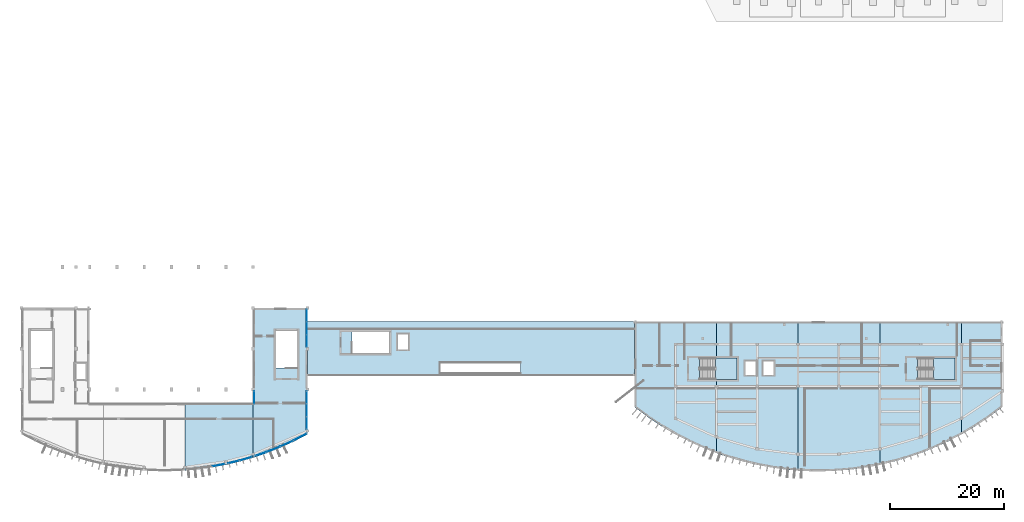
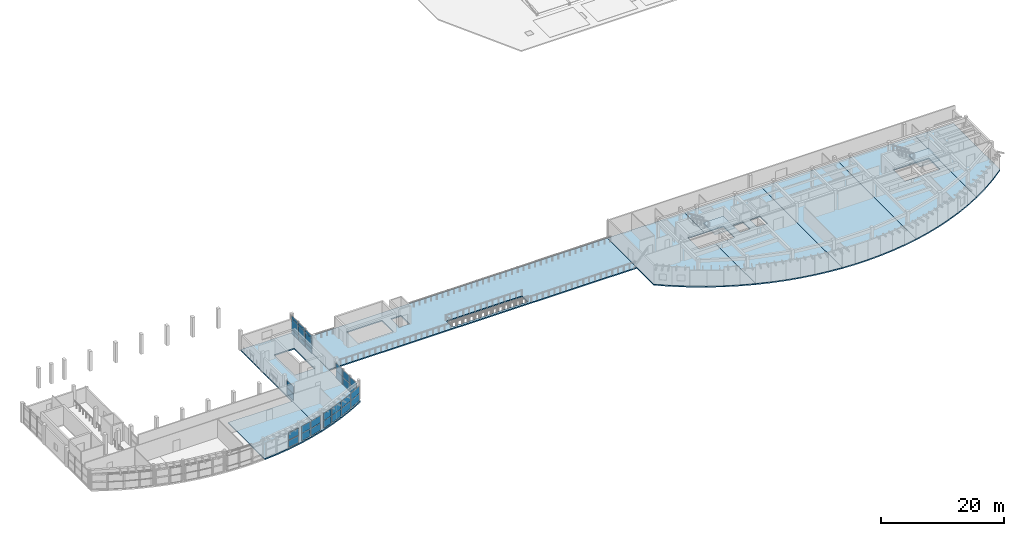
# One storey, part 12 of 32: 31 plates, 10 slabs, 12 elements without a shape of their own.
"""IFC4 building model written with IfcOpenShell, lengths in metres."""

from ifc_helpers import new_model, si_unit, direction, frame, origin, origin_2d, place, context, subcontext, project, spatial, polyline, rectangle, outline, extrude, material, layer, layer_set, type_object, element, aggregate, save


model = new_model("IFC4")

# Units and contexts
model_context = context("Model", 3, precision=1e-05, world=origin(), true_north=direction((0.0, 1.0)))
body_context = subcontext(model_context, "Body", "Model", "MODEL_VIEW")
ifc_project = project(units=[si_unit("LENGTHUNIT", "METRE"), si_unit("AREAUNIT", "SQUARE_METRE"), si_unit("VOLUMEUNIT", "CUBIC_METRE"), si_unit("PLANEANGLEUNIT", "RADIAN"), si_unit("MASSUNIT", "GRAM", prefix="KILO")], contexts=[model_context])

# Site, building, storey
site_placement = place(None, origin())
site = spatial("IfcSite", under=ifc_project, at=site_placement, CompositionType="ELEMENT")
building_placement = place(site_placement, origin())
building = spatial("IfcBuilding", under=site, at=building_placement, Name="Brisavento Harbour Community Centre", CompositionType="ELEMENT")
storey_placement = place(building_placement, frame((0.0, 0.0, 12.89990234375)))
storey = spatial("IfcBuildingStorey", under=building, at=storey_placement, Name="L03", CompositionType="ELEMENT", Elevation=12.89990234375)

# Curtain wall, plates
ifc_material_1 = material(Name="Marine-anodised aluminium AW-6063-T6", Category="aluminium")
ifc_layer_1 = layer(ifc_material_1, 0.179931640625, Name="Marine-anodised aluminium AW-6063-T6")
ifc_layer_set_1 = layer_set([ifc_layer_1], Name="Marine-anodised aluminium AW-6063-T6")
curtain_wall_type_1 = type_object("IfcCurtainWallType", Name="CW-SYS-26", PredefinedType="USERDEFINED", material=ifc_layer_set_1)
curtain_wall_1_placement = place(storey_placement, origin())
curtain_wall_1 = element("IfcCurtainWall", 1, at=curtain_wall_1_placement, inside=storey, type_object=curtain_wall_type_1, Name="L03 V1 unitised curtain wall 166", ObjectType="UNITISED CURTAIN WALL", PredefinedType="USERDEFINED")
ifc_material_2 = material(Name="Solar-control laminated low-E glass", Category="glass")
ifc_layer_2 = layer(ifc_material_2, 0.02392578125, Name="Solar-control laminated low-E glass")
ifc_layer_set_2 = layer_set([ifc_layer_2], Name="Solar-control laminated low-E glass")
plate_type_1 = type_object("IfcPlateType", Name="CWP-GLZ-1", PredefinedType="CURTAIN_PANEL", material=ifc_layer_set_2)
plate_1_placement = place(storey_placement, frame((34.694091796875, 1.07177734375, 0.0703125), z_axis=(0.0, 0.0, 1.0), x_axis=(-0.982796895513, -0.184689637418, 0.0)))
plate_1 = element("IfcPlate", 2, at=plate_1_placement, type_object=plate_type_1, Name="CW-26 panel 1.1", PredefinedType="CURTAIN_PANEL", context=body_context, shape_type="SweptSolid", body=[
    extrude(rectangle(XDim=2.117919921875, YDim=0.02392578125, at=origin_2d()), origin(), (0.0, 0.0, 1.0), 1.425048828125),
])
plate_2_placement = place(storey_placement, frame((34.694091796875, 1.07177734375, 1.56494140625), z_axis=(0.0, 0.0, 1.0), x_axis=(-0.982796895513, -0.184689637418, 0.0)))
plate_2 = element("IfcPlate", 3, at=plate_2_placement, type_object=plate_type_1, Name="CW-26 panel 1.2", PredefinedType="CURTAIN_PANEL", context=body_context, shape_type="SweptSolid", body=[
    extrude(rectangle(XDim=2.117919921875, YDim=0.02392578125, at=origin_2d()), origin(), (0.0, 0.0, 1.0), 1.425048828125),
])
aggregate(curtain_wall_1, [plate_1, plate_2])

ifc_layer_3 = layer(ifc_material_1, 0.179931640625, Name="Marine-anodised aluminium AW-6063-T6")
ifc_layer_set_3 = layer_set([ifc_layer_3], Name="Marine-anodised aluminium AW-6063-T6")
curtain_wall_type_2 = type_object("IfcCurtainWallType", Name="CW-SYS-03", PredefinedType="USERDEFINED", material=ifc_layer_set_3)
curtain_wall_2_placement = place(storey_placement, origin())
curtain_wall_2 = element("IfcCurtainWall", 4, at=curtain_wall_2_placement, inside=storey, type_object=curtain_wall_type_2, Name="L03 V1 unitised curtain wall 171", ObjectType="UNITISED CURTAIN WALL", PredefinedType="USERDEFINED")
plate_3_placement = place(storey_placement, frame((46.72509765625, 4.880615234375, 0.0751953125), z_axis=(0.0, 0.0, 1.0), x_axis=(-0.909597727846, -0.415490040189, 0.0)))
plate_3 = element("IfcPlate", 5, at=plate_3_placement, type_object=plate_type_1, Name="CW-03 panel 1.1", PredefinedType="CURTAIN_PANEL", context=body_context, shape_type="SweptSolid", body=[
    extrude(rectangle(XDim=2.452392578125, YDim=0.02392578125, at=origin_2d()), origin(), (0.0, 0.0, 1.0), 1.41748046875),
])
plate_4_placement = place(storey_placement, frame((46.72509765625, 4.880615234375, 1.567626953125), z_axis=(0.0, 0.0, 1.0), x_axis=(-0.909597727846, -0.415490040189, 0.0)))
plate_4 = element("IfcPlate", 6, at=plate_4_placement, type_object=plate_type_1, Name="CW-03 panel 1.2", PredefinedType="CURTAIN_PANEL", context=body_context, shape_type="SweptSolid", body=[
    extrude(rectangle(XDim=2.452392578125, YDim=0.02392578125, at=origin_2d()), origin(), (0.0, 0.0, 1.0), 1.41748046875),
])
aggregate(curtain_wall_2, [plate_3, plate_4])

ifc_layer_4 = layer(ifc_material_1, 0.179931640625, Name="Marine-anodised aluminium AW-6063-T6")
ifc_layer_set_4 = layer_set([ifc_layer_4], Name="Marine-anodised aluminium AW-6063-T6")
curtain_wall_type_3 = type_object("IfcCurtainWallType", Name="CW-SYS-27", PredefinedType="USERDEFINED", material=ifc_layer_set_4)
curtain_wall_3_placement = place(storey_placement, origin())
curtain_wall_3 = element("IfcCurtainWall", 7, at=curtain_wall_3_placement, inside=storey, type_object=curtain_wall_type_3, Name="L03 V1 unitised curtain wall 167", ObjectType="UNITISED CURTAIN WALL", PredefinedType="USERDEFINED")
ifc_layer_5 = layer(ifc_material_2, 0.028076171875, Name="Solar-control laminated low-E glass")
ifc_layer_set_5 = layer_set([ifc_layer_5], Name="Solar-control laminated low-E glass")
plate_type_2 = type_object("IfcPlateType", Name="CWP-GLZ-2", PredefinedType="CURTAIN_PANEL", material=ifc_layer_set_5)
plate_5_placement = place(storey_placement, frame((37.356201171875, 1.640625, 0.0751953125), z_axis=(0.0, 0.0, 1.0), x_axis=(-0.972998297489, -0.230812289714, 0.0)))
plate_5 = element("IfcPlate", 8, at=plate_5_placement, type_object=plate_type_2, Name="CW-27 panel 1.1", PredefinedType="CURTAIN_PANEL", context=body_context, shape_type="SweptSolid", body=[
    extrude(rectangle(XDim=1.874267578125, YDim=0.028076171875, at=origin_2d()), origin(), (0.0, 0.0, 1.0), 1.41748046875),
])
plate_6_placement = place(storey_placement, frame((37.356201171875, 1.640625, 1.567626953125), z_axis=(0.0, 0.0, 1.0), x_axis=(-0.972998297489, -0.230812289714, 0.0)))
plate_6 = element("IfcPlate", 9, at=plate_6_placement, type_object=plate_type_2, Name="CW-27 panel 1.2", PredefinedType="CURTAIN_PANEL", context=body_context, shape_type="SweptSolid", body=[
    extrude(rectangle(XDim=1.874267578125, YDim=0.028076171875, at=origin_2d()), origin(), (0.0, 0.0, 1.0), 1.41748046875),
])
aggregate(curtain_wall_3, [plate_5, plate_6])

ifc_layer_6 = layer(ifc_material_1, 0.179931640625, Name="Marine-anodised aluminium AW-6063-T6")
ifc_layer_set_6 = layer_set([ifc_layer_6], Name="Marine-anodised aluminium AW-6063-T6")
curtain_wall_type_4 = type_object("IfcCurtainWallType", Name="CW-SYS-04", PredefinedType="USERDEFINED", material=ifc_layer_set_6)
curtain_wall_4_placement = place(storey_placement, origin())
curtain_wall_4 = element("IfcCurtainWall", 10, at=curtain_wall_4_placement, inside=storey, type_object=curtain_wall_type_4, Name="L03 V1 unitised curtain wall 172", ObjectType="UNITISED CURTAIN WALL", PredefinedType="USERDEFINED")
plate_7_placement = place(storey_placement, frame((49.104736328125, 6.04296875, 0.080078125), z_axis=(0.0, 0.0, 1.0), x_axis=(-0.887019684969, -0.461731608705, 0.0)))
plate_7 = element("IfcPlate", 11, at=plate_7_placement, type_object=plate_type_2, Name="CW-04 panel 1.1", PredefinedType="CURTAIN_PANEL", context=body_context, shape_type="SweptSolid", body=[
    extrude(rectangle(XDim=2.482421875, YDim=0.028076171875, at=origin_2d()), origin(), (0.0, 0.0, 1.0), 1.409912109375),
])
plate_8_placement = place(storey_placement, frame((49.104736328125, 6.04296875, 1.5703125), z_axis=(0.0, 0.0, 1.0), x_axis=(-0.887019684969, -0.461731608705, 0.0)))
plate_8 = element("IfcPlate", 12, at=plate_8_placement, type_object=plate_type_2, Name="CW-04 panel 1.2", PredefinedType="CURTAIN_PANEL", context=body_context, shape_type="SweptSolid", body=[
    extrude(rectangle(XDim=2.482421875, YDim=0.028076171875, at=origin_2d()), origin(), (0.0, 0.0, 1.0), 1.409912109375),
])
aggregate(curtain_wall_4, [plate_7, plate_8])

ifc_layer_7 = layer(ifc_material_1, 0.179931640625, Name="Marine-anodised aluminium AW-6063-T6")
ifc_layer_set_7 = layer_set([ifc_layer_7], Name="Marine-anodised aluminium AW-6063-T6")
curtain_wall_type_5 = type_object("IfcCurtainWallType", Name="CW-SYS-28", PredefinedType="USERDEFINED", material=ifc_layer_set_7)
curtain_wall_5_placement = place(storey_placement, origin())
curtain_wall_5 = element("IfcCurtainWall", 13, at=curtain_wall_5_placement, inside=storey, type_object=curtain_wall_type_5, Name="L03 V1 unitised curtain wall 168", ObjectType="UNITISED CURTAIN WALL", PredefinedType="USERDEFINED")
ifc_layer_8 = layer(ifc_material_2, 0.031982421875, Name="Solar-control laminated low-E glass")
ifc_layer_set_8 = layer_set([ifc_layer_8], Name="Solar-control laminated low-E glass")
plate_type_3 = type_object("IfcPlateType", Name="CWP-GLZ-3", PredefinedType="CURTAIN_PANEL", material=ifc_layer_set_8)
plate_9_placement = place(storey_placement, frame((39.4970703125, 2.206787109375, 0.080078125), z_axis=(0.0, 0.0, 1.0), x_axis=(-0.960866482785, -0.277011917183, 0.0)))
plate_9 = element("IfcPlate", 14, at=plate_9_placement, type_object=plate_type_3, Name="CW-28 panel 1.1", PredefinedType="CURTAIN_PANEL", context=body_context, shape_type="SweptSolid", body=[
    extrude(rectangle(XDim=2.19140625, YDim=0.031982421875, at=origin_2d()), origin(), (0.0, 0.0, 1.0), 1.409912109375),
])
plate_10_placement = place(storey_placement, frame((39.4970703125, 2.206787109375, 1.5703125), z_axis=(0.0, 0.0, 1.0), x_axis=(-0.960866482785, -0.277011917183, 0.0)))
plate_10 = element("IfcPlate", 15, at=plate_10_placement, type_object=plate_type_3, Name="CW-28 panel 1.2", PredefinedType="CURTAIN_PANEL", context=body_context, shape_type="SweptSolid", body=[
    extrude(rectangle(XDim=2.19140625, YDim=0.031982421875, at=origin_2d()), origin(), (0.0, 0.0, 1.0), 1.409912109375),
])
aggregate(curtain_wall_5, [plate_9, plate_10])

ifc_layer_9 = layer(ifc_material_1, 0.179931640625, Name="Marine-anodised aluminium AW-6063-T6")
ifc_layer_set_9 = layer_set([ifc_layer_9], Name="Marine-anodised aluminium AW-6063-T6")
curtain_wall_type_6 = type_object("IfcCurtainWallType", Name="CW-SYS-05", PredefinedType="USERDEFINED", material=ifc_layer_set_9)
curtain_wall_6_placement = place(storey_placement, origin())
curtain_wall_6 = element("IfcCurtainWall", 16, at=curtain_wall_6_placement, inside=storey, type_object=curtain_wall_type_6, Name="L03 V1 unitised curtain wall 173", ObjectType="UNITISED CURTAIN WALL", PredefinedType="USERDEFINED")
plate_11_placement = place(storey_placement, frame((50.219970703125, 27.410400390625, 0.06494140625), z_axis=(0.0, 0.0, 1.0), x_axis=(0.0, -1.0, 0.0)))
plate_11 = element("IfcPlate", 17, at=plate_11_placement, type_object=plate_type_3, Name="CW-05 panel 1.1", PredefinedType="CURTAIN_PANEL", context=body_context, shape_type="SweptSolid", body=[
    extrude(rectangle(XDim=2.129150390625, YDim=0.031982421875, at=origin_2d()), origin(), (0.0, 0.0, 1.0), 0.802490234375),
])
plate_12_placement = place(storey_placement, frame((50.219970703125, 27.410400390625, 0.9326171875), z_axis=(0.0, 0.0, 1.0), x_axis=(0.0, -1.0, 0.0)))
plate_12 = element("IfcPlate", 18, at=plate_12_placement, type_object=plate_type_3, Name="CW-05 panel 1.2", PredefinedType="CURTAIN_PANEL", context=body_context, shape_type="SweptSolid", body=[
    extrude(rectangle(XDim=2.129150390625, YDim=0.031982421875, at=origin_2d()), origin(), (0.0, 0.0, 1.0), 2.044921875),
])
plate_13_placement = place(storey_placement, frame((50.219970703125, 27.410400390625, 3.04248046875), z_axis=(0.0, 0.0, 1.0), x_axis=(0.0, -1.0, 0.0)))
plate_13 = element("IfcPlate", 19, at=plate_13_placement, type_object=plate_type_3, Name="CW-05 panel 1.3", PredefinedType="CURTAIN_PANEL", context=body_context, shape_type="SweptSolid", body=[
    extrude(rectangle(XDim=2.129150390625, YDim=0.031982421875, at=origin_2d()), origin(), (0.0, 0.0, 1.0), 0.552490234375),
])
plate_14_placement = place(storey_placement, frame((50.219970703125, 25.199951171875, 0.06494140625), z_axis=(0.0, 0.0, 1.0), x_axis=(0.0, -1.0, 0.0)))
plate_14 = element("IfcPlate", 20, at=plate_14_placement, type_object=plate_type_3, Name="CW-05 panel 2.1", PredefinedType="CURTAIN_PANEL", context=body_context, shape_type="SweptSolid", body=[
    extrude(rectangle(XDim=2.16162109375, YDim=0.031982421875, at=origin_2d()), origin(), (0.0, 0.0, 1.0), 0.802490234375),
])
plate_15_placement = place(storey_placement, frame((50.219970703125, 25.199951171875, 0.9326171875), z_axis=(0.0, 0.0, 1.0), x_axis=(0.0, -1.0, 0.0)))
plate_15 = element("IfcPlate", 21, at=plate_15_placement, type_object=plate_type_3, Name="CW-05 panel 2.2", PredefinedType="CURTAIN_PANEL", context=body_context, shape_type="SweptSolid", body=[
    extrude(rectangle(XDim=2.16162109375, YDim=0.031982421875, at=origin_2d()), origin(), (0.0, 0.0, 1.0), 2.044921875),
])
plate_16_placement = place(storey_placement, frame((50.219970703125, 25.199951171875, 3.04248046875), z_axis=(0.0, 0.0, 1.0), x_axis=(0.0, -1.0, 0.0)))
plate_16 = element("IfcPlate", 22, at=plate_16_placement, type_object=plate_type_3, Name="CW-05 panel 2.3", PredefinedType="CURTAIN_PANEL", context=body_context, shape_type="SweptSolid", body=[
    extrude(rectangle(XDim=2.16162109375, YDim=0.031982421875, at=origin_2d()), origin(), (0.0, 0.0, 1.0), 0.552490234375),
])
plate_17_placement = place(storey_placement, frame((50.219970703125, 22.989501953125, 0.06494140625), z_axis=(0.0, 0.0, 1.0), x_axis=(0.0, -1.0, 0.0)))
plate_17 = element("IfcPlate", 23, at=plate_17_placement, type_object=plate_type_3, Name="CW-05 panel 3.1", PredefinedType="CURTAIN_PANEL", context=body_context, shape_type="SweptSolid", body=[
    extrude(rectangle(XDim=2.129150390625, YDim=0.031982421875, at=origin_2d()), origin(), (0.0, 0.0, 1.0), 0.802490234375),
])
plate_18_placement = place(storey_placement, frame((50.219970703125, 22.989501953125, 0.9326171875), z_axis=(0.0, 0.0, 1.0), x_axis=(0.0, -1.0, 0.0)))
plate_18 = element("IfcPlate", 24, at=plate_18_placement, type_object=plate_type_3, Name="CW-05 panel 3.2", PredefinedType="CURTAIN_PANEL", context=body_context, shape_type="SweptSolid", body=[
    extrude(rectangle(XDim=2.129150390625, YDim=0.031982421875, at=origin_2d()), origin(), (0.0, 0.0, 1.0), 2.044921875),
])
plate_19_placement = place(storey_placement, frame((50.219970703125, 22.989501953125, 3.04248046875), z_axis=(0.0, 0.0, 1.0), x_axis=(0.0, -1.0, 0.0)))
plate_19 = element("IfcPlate", 25, at=plate_19_placement, type_object=plate_type_3, Name="CW-05 panel 3.3", PredefinedType="CURTAIN_PANEL", context=body_context, shape_type="SweptSolid", body=[
    extrude(rectangle(XDim=2.129150390625, YDim=0.031982421875, at=origin_2d()), origin(), (0.0, 0.0, 1.0), 0.552490234375),
])
aggregate(curtain_wall_6, [plate_11, plate_12, plate_13, plate_14, plate_15, plate_16, plate_17, plate_18, plate_19])

ifc_layer_10 = layer(ifc_material_1, 0.179931640625, Name="Marine-anodised aluminium AW-6063-T6")
ifc_layer_set_10 = layer_set([ifc_layer_10], Name="Marine-anodised aluminium AW-6063-T6")
curtain_wall_type_7 = type_object("IfcCurtainWallType", Name="CW-SYS-01", PredefinedType="USERDEFINED", material=ifc_layer_set_10)
curtain_wall_7_placement = place(storey_placement, origin())
curtain_wall_7 = element("IfcCurtainWall", 26, at=curtain_wall_7_placement, inside=storey, type_object=curtain_wall_type_7, Name="L03 V1 unitised curtain wall 169", ObjectType="UNITISED CURTAIN WALL", PredefinedType="USERDEFINED")
ifc_layer_11 = layer(ifc_material_2, 0.035888671875, Name="Solar-control laminated low-E glass")
ifc_layer_set_11 = layer_set([ifc_layer_11], Name="Solar-control laminated low-E glass")
plate_type_4 = type_object("IfcPlateType", Name="CWP-GLZ-4", PredefinedType="CURTAIN_PANEL", material=ifc_layer_set_11)
plate_20_placement = place(storey_placement, frame((42.168212890625, 3.052490234375, 0.06494140625), z_axis=(0.0, 0.0, 1.0), x_axis=(-0.946338050136, -0.323178425743, 0.0)))
plate_20 = element("IfcPlate", 27, at=plate_20_placement, type_object=plate_type_4, Name="CW-01 panel 1.1", PredefinedType="CURTAIN_PANEL", context=body_context, shape_type="SweptSolid", body=[
    extrude(rectangle(XDim=1.891845703125, YDim=0.035888671875, at=origin_2d()), origin(), (0.0, 0.0, 1.0), 1.4326171875),
])
plate_21_placement = place(storey_placement, frame((42.168212890625, 3.052490234375, 1.5625), z_axis=(0.0, 0.0, 1.0), x_axis=(-0.946338050136, -0.323178425743, 0.0)))
plate_21 = element("IfcPlate", 28, at=plate_21_placement, type_object=plate_type_4, Name="CW-01 panel 1.2", PredefinedType="CURTAIN_PANEL", context=body_context, shape_type="SweptSolid", body=[
    extrude(rectangle(XDim=1.891845703125, YDim=0.035888671875, at=origin_2d()), origin(), (0.0, 0.0, 1.0), 1.4326171875),
])
aggregate(curtain_wall_7, [plate_20, plate_21])

ifc_layer_12 = layer(ifc_material_1, 0.179931640625, Name="Marine-anodised aluminium AW-6063-T6")
ifc_layer_set_12 = layer_set([ifc_layer_12], Name="Marine-anodised aluminium AW-6063-T6")
curtain_wall_type_8 = type_object("IfcCurtainWallType", Name="CW-SYS-06", PredefinedType="USERDEFINED", material=ifc_layer_set_12)
curtain_wall_8_placement = place(storey_placement, origin())
curtain_wall_8 = element("IfcCurtainWall", 29, at=curtain_wall_8_placement, inside=storey, type_object=curtain_wall_type_8, Name="L03 V1 unitised curtain wall 174", ObjectType="UNITISED CURTAIN WALL", PredefinedType="USERDEFINED")
plate_22_placement = place(storey_placement, frame((50.219970703125, 12.99072265625, 0.0703125), z_axis=(0.0, 0.0, 1.0), x_axis=(0.0, -1.0, 0.0)))
plate_22 = element("IfcPlate", 30, at=plate_22_placement, type_object=plate_type_4, Name="CW-06 panel 1.1", PredefinedType="CURTAIN_PANEL", context=body_context, shape_type="SweptSolid", body=[
    extrude(rectangle(XDim=2.15869140625, YDim=0.035888671875, at=origin_2d()), origin(), (0.0, 0.0, 1.0), 1.425048828125),
])
plate_23_placement = place(storey_placement, frame((50.219970703125, 12.99072265625, 1.56494140625), z_axis=(0.0, 0.0, 1.0), x_axis=(0.0, -1.0, 0.0)))
plate_23 = element("IfcPlate", 31, at=plate_23_placement, type_object=plate_type_4, Name="CW-06 panel 1.2", PredefinedType="CURTAIN_PANEL", context=body_context, shape_type="SweptSolid", body=[
    extrude(rectangle(XDim=2.15869140625, YDim=0.035888671875, at=origin_2d()), origin(), (0.0, 0.0, 1.0), 1.425048828125),
])
plate_24_placement = place(storey_placement, frame((50.219970703125, 10.74462890625, 0.0703125), z_axis=(0.0, 0.0, 1.0), x_axis=(0.0, -1.0, 0.0)))
plate_24 = element("IfcPlate", 32, at=plate_24_placement, type_object=plate_type_4, Name="CW-06 panel 2.1", PredefinedType="CURTAIN_PANEL", context=body_context, shape_type="SweptSolid", body=[
    extrude(rectangle(XDim=2.193603515625, YDim=0.035888671875, at=origin_2d()), origin(), (0.0, 0.0, 1.0), 1.425048828125),
])
plate_25_placement = place(storey_placement, frame((50.219970703125, 10.74462890625, 1.56494140625), z_axis=(0.0, 0.0, 1.0), x_axis=(0.0, -1.0, 0.0)))
plate_25 = element("IfcPlate", 33, at=plate_25_placement, type_object=plate_type_4, Name="CW-06 panel 2.2", PredefinedType="CURTAIN_PANEL", context=body_context, shape_type="SweptSolid", body=[
    extrude(rectangle(XDim=2.193603515625, YDim=0.035888671875, at=origin_2d()), origin(), (0.0, 0.0, 1.0), 1.425048828125),
])
plate_26_placement = place(storey_placement, frame((50.219970703125, 8.49853515625, 0.0703125), z_axis=(0.0, 0.0, 1.0), x_axis=(0.0, -1.0, 0.0)))
plate_26 = element("IfcPlate", 34, at=plate_26_placement, type_object=plate_type_4, Name="CW-06 panel 3.1", PredefinedType="CURTAIN_PANEL", context=body_context, shape_type="SweptSolid", body=[
    extrude(rectangle(XDim=2.15869140625, YDim=0.035888671875, at=origin_2d()), origin(), (0.0, 0.0, 1.0), 1.425048828125),
])
plate_27_placement = place(storey_placement, frame((50.219970703125, 8.49853515625, 1.56494140625), z_axis=(0.0, 0.0, 1.0), x_axis=(0.0, -1.0, 0.0)))
plate_27 = element("IfcPlate", 35, at=plate_27_placement, type_object=plate_type_4, Name="CW-06 panel 3.2", PredefinedType="CURTAIN_PANEL", context=body_context, shape_type="SweptSolid", body=[
    extrude(rectangle(XDim=2.15869140625, YDim=0.035888671875, at=origin_2d()), origin(), (0.0, 0.0, 1.0), 1.425048828125),
])
aggregate(curtain_wall_8, [plate_22, plate_23, plate_24, plate_25, plate_26, plate_27])

ifc_layer_13 = layer(ifc_material_1, 0.179931640625, Name="Marine-anodised aluminium AW-6063-T6")
ifc_layer_set_13 = layer_set([ifc_layer_13], Name="Marine-anodised aluminium AW-6063-T6")
curtain_wall_type_9 = type_object("IfcCurtainWallType", Name="CW-SYS-02", PredefinedType="USERDEFINED", material=ifc_layer_set_13)
curtain_wall_9_placement = place(storey_placement, origin())
curtain_wall_9 = element("IfcCurtainWall", 36, at=curtain_wall_9_placement, inside=storey, type_object=curtain_wall_type_9, Name="L03 V1 unitised curtain wall 170", ObjectType="UNITISED CURTAIN WALL", PredefinedType="USERDEFINED")
ifc_layer_14 = layer(ifc_material_2, 0.0400390625, Name="Solar-control laminated low-E glass")
ifc_layer_set_14 = layer_set([ifc_layer_14], Name="Solar-control laminated low-E glass")
plate_type_5 = type_object("IfcPlateType", Name="CWP-GLZ-5", PredefinedType="CURTAIN_PANEL", material=ifc_layer_set_14)
plate_28_placement = place(storey_placement, frame((44.33349609375, 3.85888671875, 0.0703125), z_axis=(0.0, 0.0, 1.0), x_axis=(-0.929278798027, -0.369379094613, 0.0)))
plate_28 = element("IfcPlate", 37, at=plate_28_placement, type_object=plate_type_5, Name="CW-02 panel 1.1", PredefinedType="CURTAIN_PANEL", context=body_context, shape_type="SweptSolid", body=[
    extrude(rectangle(XDim=2.40673828125, YDim=0.0400390625, at=origin_2d()), origin(), (0.0, 0.0, 1.0), 1.425048828125),
])
plate_29_placement = place(storey_placement, frame((44.33349609375, 3.85888671875, 1.56494140625), z_axis=(0.0, 0.0, 1.0), x_axis=(-0.929278798027, -0.369379094613, 0.0)))
plate_29 = element("IfcPlate", 38, at=plate_29_placement, type_object=plate_type_5, Name="CW-02 panel 1.2", PredefinedType="CURTAIN_PANEL", context=body_context, shape_type="SweptSolid", body=[
    extrude(rectangle(XDim=2.40673828125, YDim=0.0400390625, at=origin_2d()), origin(), (0.0, 0.0, 1.0), 1.425048828125),
])
aggregate(curtain_wall_9, [plate_28, plate_29])

ifc_layer_15 = layer(ifc_material_1, 0.179931640625, Name="Marine-anodised aluminium AW-6063-T6")
ifc_layer_set_15 = layer_set([ifc_layer_15], Name="Marine-anodised aluminium AW-6063-T6")
curtain_wall_type_10 = type_object("IfcCurtainWallType", Name="CW-SYS-07", PredefinedType="USERDEFINED", material=ifc_layer_set_15)
curtain_wall_10_placement = place(storey_placement, origin())
curtain_wall_10 = element("IfcCurtainWall", 39, at=curtain_wall_10_placement, inside=storey, type_object=curtain_wall_type_10, Name="L03 V1 unitised curtain wall 175", ObjectType="UNITISED CURTAIN WALL", PredefinedType="USERDEFINED")
plate_30_placement = place(storey_placement, frame((40.97998046875, 12.9951171875, 0.0751953125), z_axis=(0.0, 0.0, 1.0), x_axis=(0.0, 1.0, 0.0)))
plate_30 = element("IfcPlate", 40, at=plate_30_placement, type_object=plate_type_5, Name="CW-07 panel 1.1", PredefinedType="CURTAIN_PANEL", context=body_context, shape_type="SweptSolid", body=[
    extrude(rectangle(XDim=2.139892578125, YDim=0.0400390625, at=origin_2d()), origin(), (0.0, 0.0, 1.0), 1.33740234375),
])
plate_31_placement = place(storey_placement, frame((40.97998046875, 12.9951171875, 1.487548828125), z_axis=(0.0, 0.0, 1.0), x_axis=(0.0, 1.0, 0.0)))
plate_31 = element("IfcPlate", 41, at=plate_31_placement, type_object=plate_type_5, Name="CW-07 panel 1.2", PredefinedType="CURTAIN_PANEL", context=body_context, shape_type="SweptSolid", body=[
    extrude(rectangle(XDim=2.139892578125, YDim=0.0400390625, at=origin_2d()), origin(), (0.0, 0.0, 1.0), 1.33740234375),
])
aggregate(curtain_wall_10, [plate_30, plate_31])

# Slabs
ifc_material_3 = material(Name="Concrete C35/45", Category="concrete")
ifc_layer_16 = layer(ifc_material_3, 0.239990234375, Name="Concrete C35/45")
ifc_layer_set_16 = layer_set([ifc_layer_16], Name="Concrete C35/45")
slab_type_1 = type_object("IfcSlabType", Name="SLB-FLR-240", PredefinedType="FLOOR", material=ifc_layer_set_16)
slab_1_placement = place(storey_placement, frame((0.0, 0.0, -0.239990234375)))
element("IfcSlab", 42, at=slab_1_placement, inside=storey, type_object=slab_type_1, Name="L03 V1 structural floor slab 044", PredefinedType="FLOOR", context=body_context, shape_type="SweptSolid", body=[
    extrude(outline(polyline([(28.800048828125, 12.0), (28.800048828125, 0.124755859375), (31.199951171875, 0.347412109375), (33.60009765625, 0.682861328125), (36.0, 1.1337890625), (38.39990234375, 1.703369140625), (40.800048828125, 2.395263671875), (40.800048828125, 12.0), (28.800048828125, 12.0)])), origin(), (0.0, 0.0, 1.0), 0.239990234375),
])
slab_2_placement = place(storey_placement, frame((0.0, 0.0, -0.239990234375)))
element("IfcSlab", 43, at=slab_2_placement, inside=storey, type_object=slab_type_1, Name="L03 V1 structural floor slab 045", PredefinedType="FLOOR", context=body_context, shape_type="SweptSolid", body=[
    extrude(outline(polyline([(40.800048828125, 2.395263671875), (43.199951171875, 3.21484375), (45.60009765625, 4.168701171875), (48.0, 5.264892578125), (50.39990234375, 6.51416015625), (50.39990234375, 28.800048828125), (40.800048828125, 28.800048828125), (40.800048828125, 2.395263671875)]), holes=[polyline([(44.80810546875, 24.7919921875), (48.5419921875, 24.7919921875), (48.5419921875, 18.2080078125), (44.80810546875, 18.2080078125), (44.80810546875, 24.7919921875)])]), origin(), (0.0, 0.0, 1.0), 0.239990234375),
])
slab_3_placement = place(storey_placement, frame((0.0, 0.0, -0.239990234375)))
element("IfcSlab", 44, at=slab_3_placement, inside=storey, type_object=slab_type_1, Name="L03 V3 structural floor slab 046", PredefinedType="FLOOR", context=body_context, shape_type="SweptSolid", body=[
    extrude(outline(polyline([(108.0, 26.39990234375), (108.0, 11.32763671875), (110.39990234375, 9.526611328125), (112.800048828125, 7.92919921875), (115.199951171875, 6.51416015625), (117.60009765625, 5.264892578125), (120.0, 4.168701171875), (122.39990234375, 3.21484375), (122.39990234375, 16.2080078125), (119.407958984375, 16.2080078125), (119.407958984375, 19.94189453125), (122.39990234375, 19.94189453125), (122.39990234375, 26.39990234375), (108.0, 26.39990234375)])), origin(), (0.0, 0.0, 1.0), 0.239990234375),
])
slab_4_placement = place(storey_placement, frame((0.0, 0.0, -0.239990234375)))
element("IfcSlab", 45, at=slab_4_placement, inside=storey, type_object=slab_type_1, Name="L03 V3 structural floor slab 047", PredefinedType="FLOOR", context=body_context, shape_type="SweptSolid", body=[
    extrude(outline(polyline([(122.39990234375, 26.39990234375), (122.39990234375, 19.94189453125), (125.991943359375, 19.94189453125), (125.991943359375, 16.2080078125), (122.39990234375, 16.2080078125), (122.39990234375, 3.21484375), (124.800048828125, 2.395263671875), (127.199951171875, 1.703369140625), (129.60009765625, 1.1337890625), (132.0, 0.682861328125), (134.39990234375, 0.347412109375), (136.800048828125, 0.124755859375), (136.800048828125, 26.39990234375), (122.39990234375, 26.39990234375)]), holes=[polyline([(129.35009765625, 19.39990234375), (129.35009765625, 17.0), (127.449951171875, 17.0), (127.449951171875, 19.39990234375), (129.35009765625, 19.39990234375)]), polyline([(132.550048828125, 19.39990234375), (132.550048828125, 17.0), (130.64990234375, 17.0), (130.64990234375, 19.39990234375), (132.550048828125, 19.39990234375)])]), origin(), (0.0, 0.0, 1.0), 0.239990234375),
])
slab_5_placement = place(storey_placement, frame((0.0, 0.0, -0.239990234375)))
element("IfcSlab", 46, at=slab_5_placement, inside=storey, type_object=slab_type_1, Name="L03 V3 structural floor slab 048", PredefinedType="FLOOR", context=body_context, shape_type="SweptSolid", body=[
    extrude(outline(polyline([(136.800048828125, 26.39990234375), (136.800048828125, 0.124755859375), (139.199951171875, 0.013916015625), (141.60009765625, 0.013916015625), (144.0, 0.124755859375), (146.39990234375, 0.347412109375), (148.800048828125, 0.682861328125), (151.199951171875, 1.1337890625), (151.199951171875, 26.39990234375), (136.800048828125, 26.39990234375)])), origin(), (0.0, 0.0, 1.0), 0.239990234375),
])
slab_6_placement = place(storey_placement, frame((0.0, 0.0, -0.239990234375)))
element("IfcSlab", 47, at=slab_6_placement, inside=storey, type_object=slab_type_1, Name="L03 V3 structural floor slab 049", PredefinedType="FLOOR", context=body_context, shape_type="SweptSolid", body=[
    extrude(outline(polyline([(151.199951171875, 26.39990234375), (151.199951171875, 1.1337890625), (153.60009765625, 1.703369140625), (156.0, 2.395263671875), (158.39990234375, 3.21484375), (160.800048828125, 4.168701171875), (163.199951171875, 5.264892578125), (165.60009765625, 6.51416015625), (165.60009765625, 26.39990234375), (151.199951171875, 26.39990234375)]), holes=[polyline([(164.39208984375, 19.94189453125), (164.39208984375, 16.2080078125), (157.80810546875, 16.2080078125), (157.80810546875, 19.94189453125), (164.39208984375, 19.94189453125)])]), origin(), (0.0, 0.0, 1.0), 0.239990234375),
])
slab_7_placement = place(storey_placement, frame((0.0, 0.0, -0.239990234375)))
element("IfcSlab", 48, at=slab_7_placement, inside=storey, type_object=slab_type_1, Name="L03 V3 structural floor slab 050", PredefinedType="FLOOR", context=body_context, shape_type="SweptSolid", body=[
    extrude(outline(polyline([(165.60009765625, 26.39990234375), (165.60009765625, 6.51416015625), (168.0, 7.92919921875), (170.39990234375, 9.526611328125), (172.800048828125, 11.32763671875), (172.800048828125, 26.39990234375), (165.60009765625, 26.39990234375)])), origin(), (0.0, 0.0, 1.0), 0.239990234375),
])

# Stair, slab
stair_type = type_object("IfcStairType", Name="STR-DL-3900", PredefinedType="HALF_TURN_STAIR", material=ifc_material_3)
stair_1_placement = place(storey_placement, origin())
stair_1 = element("IfcStair", 49, at=stair_1_placement, inside=storey, type_object=stair_type, Name="L03 ST-04", PredefinedType="HALF_TURN_STAIR")
ifc_layer_17 = layer(ifc_material_3, 0.199951171875, Name="Concrete C35/45")
ifc_layer_set_17 = layer_set([ifc_layer_17], Name="Concrete C35/45")
slab_type_2 = type_object("IfcSlabType", Name="SLB-LND-200", PredefinedType="LANDING", material=ifc_layer_set_17)
slab_8_placement = place(storey_placement, frame((0.0, 0.0, 1.75)))
slab_8 = element("IfcSlab", 50, at=slab_8_placement, type_object=slab_type_2, Name="ST-04 landing 1", PredefinedType="LANDING", context=body_context, shape_type="SweptSolid", body=[
    extrude(outline(polyline([(122.25, 16.199951171875), (126.0, 16.199951171875), (126.0, 19.949951171875), (122.25, 19.949951171875), (122.25, 16.199951171875)])), origin(), (0.0, 0.0, 1.0), 0.2001953125),
])
aggregate(stair_1, [slab_8])

stair_2_placement = place(storey_placement, origin())
stair_2 = element("IfcStair", 51, at=stair_2_placement, inside=storey, type_object=stair_type, Name="L03 ST-05", PredefinedType="HALF_TURN_STAIR")
slab_9_placement = place(storey_placement, frame((0.0, 0.0, 1.75)))
slab_9 = element("IfcSlab", 52, at=slab_9_placement, type_object=slab_type_2, Name="ST-05 landing 1", PredefinedType="LANDING", context=body_context, shape_type="SweptSolid", body=[
    extrude(outline(polyline([(160.64990234375, 16.199951171875), (164.39990234375, 16.199951171875), (164.39990234375, 19.949951171875), (160.64990234375, 19.949951171875), (160.64990234375, 16.199951171875)])), origin(), (0.0, 0.0, 1.0), 0.2001953125),
])
aggregate(stair_2, [slab_9])

# Slab
ifc_layer_18 = layer(ifc_material_3, 0.22998046875, Name="Concrete C35/45")
ifc_layer_set_18 = layer_set([ifc_layer_18], Name="Concrete C35/45")
slab_type_3 = type_object("IfcSlabType", Name="SLB-TER-230", PredefinedType="FLOOR", material=ifc_layer_set_18)
slab_10_placement = place(storey_placement, frame((0.0, 0.0, -0.22998046875)))
element("IfcSlab", 53, at=slab_10_placement, inside=storey, type_object=slab_type_3, Name="L03 V2 Public Roof Terrace deck", PredefinedType="FLOOR", context=body_context, shape_type="SweptSolid", body=[
    extrude(outline(polyline([(50.39990234375, 16.800048828125), (108.0, 16.800048828125), (108.0, 26.39990234375), (50.39990234375, 26.39990234375), (50.39990234375, 16.800048828125)]), holes=[polyline([(87.8798828125, 17.25), (73.7099609375, 17.25), (73.7099609375, 19.14990234375), (87.8798828125, 19.14990234375), (87.8798828125, 17.25)]), polyline([(58.2080078125, 20.80810546875), (58.2080078125, 24.5419921875), (64.7919921875, 24.5419921875), (64.7919921875, 20.80810546875), (58.2080078125, 20.80810546875)]), polyline([(66.25, 21.449951171875), (66.25, 24.14990234375), (68.14990234375, 24.14990234375), (68.14990234375, 21.449951171875), (66.25, 21.449951171875)])]), origin(), (0.0, 0.0, 1.0), 0.22998046875),
])

save(model, "model.ifc")
